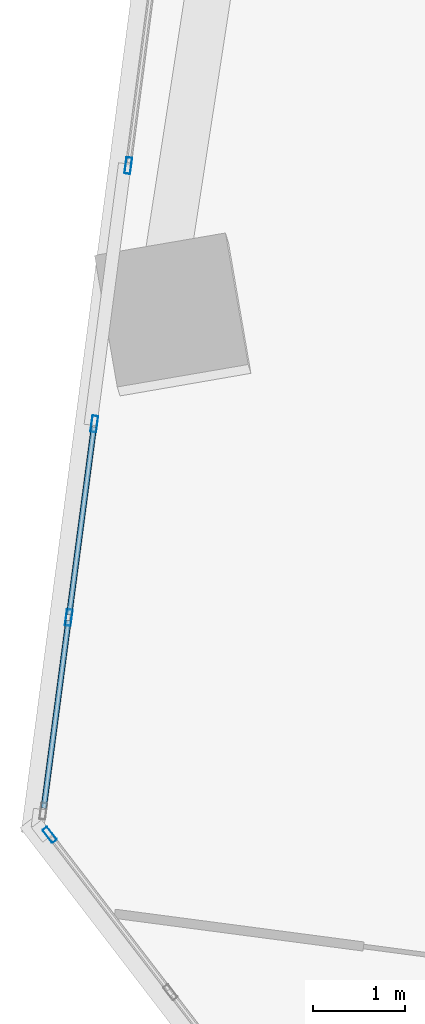
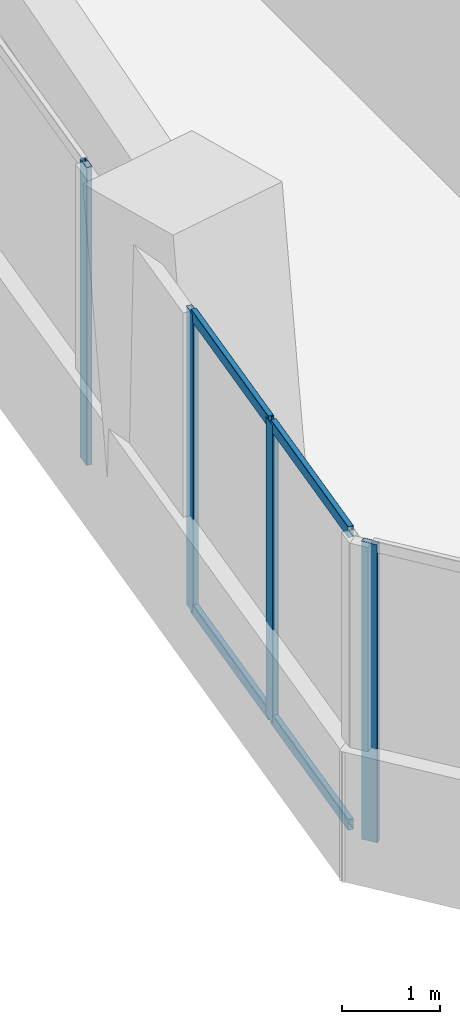
# One storey, part 4 of 24: 8 members, 3 elements without a shape of their own.
"""IFC4 building model written with IfcOpenShell, lengths in metres."""

from ifc_helpers import new_model, si_unit, direction, frame, origin, origin_2d, place, context, subcontext, project, spatial, hollow_rectangle, extrude, source, transform, mapped, material, material_profile, profile_set, type_object, element, aggregate, save


model = new_model("IFC4")

# Units and contexts
model_context = context("Model", 3, precision=1e-05, world=origin(), true_north=direction((0.0, 1.0)))
body_context = subcontext(model_context, "Body", "Model", "MODEL_VIEW")
ifc_project = project(units=[si_unit("LENGTHUNIT", "METRE"), si_unit("AREAUNIT", "SQUARE_METRE"), si_unit("VOLUMEUNIT", "CUBIC_METRE"), si_unit("PLANEANGLEUNIT", "RADIAN"), si_unit("MASSUNIT", "GRAM", prefix="KILO")], contexts=[model_context])

# Site, building, storey
site_placement = place(None, origin())
site = spatial("IfcSite", under=ifc_project, at=site_placement, CompositionType="ELEMENT")
building_placement = place(site_placement, origin())
building = spatial("IfcBuilding", under=site, at=building_placement, Name="Torre Montelarca", CompositionType="ELEMENT")
storey_placement = place(building_placement, frame((0.0, 0.0, 66.39990234375)))
storey = spatial("IfcBuildingStorey", under=building, at=storey_placement, Name="L14", CompositionType="ELEMENT", Elevation=66.39990234375)

# Curtain wall, members
ifc_material_1 = material(Name="Insulated low-E laminated glass", Category="glass")
curtain_wall_type = type_object("IfcCurtainWallType", Name="CW-SYS-Z1", PredefinedType="USERDEFINED", material=ifc_material_1)
curtain_wall_1_placement = place(storey_placement, origin())
curtain_wall_1 = element("IfcCurtainWall", 1, at=curtain_wall_1_placement, inside=storey, type_object=curtain_wall_type, Name="L14 Curtain Wall Run CW-T3-L14-E10-B3", ObjectType="UNITISED GLAZING", PredefinedType="USERDEFINED")
ifc_material_2 = material(Name="Anodised aluminium AA 6063-T6", Category="aluminium")
ifc_material_profile_1 = material_profile(ifc_material_2, hollow_rectangle(XDim=0.06494140625, YDim=0.139892578125, WallThickness=0.00390625, InnerFilletRadius=0.00390625, OuterFilletRadius=0.008056640625, at=origin_2d()), Name="ALU65X140X4", Category="aluminium")
ifc_profile_set_1 = profile_set([ifc_material_profile_1], Name="Anodised aluminium AA 6063-T6")
member_type_1 = type_object("IfcMemberType", Name="CWT-ALU140", PredefinedType="USERDEFINED", material=ifc_profile_set_1)
shared_shape_1 = source(origin(), body_context, "Body", "SweptSolid", [
    extrude(hollow_rectangle(XDim=0.06494140625, YDim=0.139892578125, WallThickness=0.00390625, InnerFilletRadius=0.00390625, OuterFilletRadius=0.008056640625, at=origin_2d()), origin(), (0.0, 0.0, 1.0), 2.06689453125),
])
member_1_placement = place(storey_placement, frame((2.870361328125, 25.1025390625, 0.03271484375), z_axis=(-0.130515619471, -0.991446253245, 0.0), x_axis=(0.991446253245, -0.130515619471, 0.0)))
member_1 = element("IfcMember", 2, at=member_1_placement, type_object=member_type_1, Name="CW transom 1.1", ObjectType="TRANSOM", PredefinedType="USERDEFINED", context=body_context, shape_type="MappedRepresentation", body=[
    mapped(shared_shape_1, transform((0.0, 0.0, 0.0), scale=1.0)),
])
member_2_placement = place(storey_placement, frame((2.870361328125, 25.1025390625, 3.6875), z_axis=(-0.130515619471, -0.991446253245, 0.0), x_axis=(0.991446253245, -0.130515619471, 0.0)))
member_2 = element("IfcMember", 3, at=member_2_placement, type_object=member_type_1, Name="CW transom 1.2", ObjectType="TRANSOM", PredefinedType="USERDEFINED", context=body_context, shape_type="MappedRepresentation", body=[
    mapped(shared_shape_1, transform((0.0, 0.0, 0.0), scale=1.0)),
])
member_3_placement = place(storey_placement, frame((2.592041015625, 22.98876953125, 0.03271484375), z_axis=(-0.130515619471, -0.991446253245, 0.0), x_axis=(0.991446253245, -0.130515619471, 0.0)))
member_3 = element("IfcMember", 4, at=member_3_placement, type_object=member_type_1, Name="CW transom 2.1", ObjectType="TRANSOM", PredefinedType="USERDEFINED", context=body_context, shape_type="MappedRepresentation", body=[
    mapped(shared_shape_1, transform((0.0, 0.0, 0.0), scale=1.0)),
])
member_4_placement = place(storey_placement, frame((2.592041015625, 22.98876953125, 3.6875), z_axis=(-0.130515619471, -0.991446253245, 0.0), x_axis=(0.991446253245, -0.130515619471, 0.0)))
member_4 = element("IfcMember", 5, at=member_4_placement, type_object=member_type_1, Name="CW transom 2.2", ObjectType="TRANSOM", PredefinedType="USERDEFINED", context=body_context, shape_type="MappedRepresentation", body=[
    mapped(shared_shape_1, transform((0.0, 0.0, 0.0), scale=1.0)),
])

# Curtain wall, member
curtain_wall_2_placement = place(storey_placement, origin())
curtain_wall_2 = element("IfcCurtainWall", 6, at=curtain_wall_2_placement, inside=storey, type_object=curtain_wall_type, Name="L14 Curtain Wall Run CW-T3-L14-E10-B2", ObjectType="UNITISED GLAZING", PredefinedType="USERDEFINED")
ifc_material_profile_2 = material_profile(ifc_material_2, hollow_rectangle(XDim=0.06494140625, YDim=0.179931640625, WallThickness=0.00390625, InnerFilletRadius=0.00390625, OuterFilletRadius=0.008056640625, at=origin_2d()), Name="ALU65X180X4", Category="aluminium")
ifc_profile_set_2 = profile_set([ifc_material_profile_2], Name="Anodised aluminium AA 6063-T6")
member_type_2 = type_object("IfcMemberType", Name="CWM-ALU180", PredefinedType="MULLION", material=ifc_profile_set_2)
shared_shape_2 = source(origin(), body_context, "Body", "SweptSolid", [
    extrude(hollow_rectangle(XDim=0.06494140625, YDim=0.179931640625, WallThickness=0.00390625, InnerFilletRadius=0.00390625, OuterFilletRadius=0.008056640625, at=origin_2d()), origin(), (0.0, 0.0, 1.0), 3.72021484375),
])
member_5_placement = place(storey_placement, frame((3.245849609375, 27.955078125, 0.0), z_axis=(0.0, 0.0, 1.0), x_axis=(0.991444908852, -0.130525831588, 0.0)))
member_5 = element("IfcMember", 7, at=member_5_placement, type_object=member_type_2, Name="CW mullion 3", PredefinedType="MULLION", context=body_context, shape_type="MappedRepresentation", body=[
    mapped(shared_shape_2, transform((0.0, 0.0, 0.0), scale=1.0)),
])
aggregate(curtain_wall_2, [member_5])

# Member
member_6_placement = place(storey_placement, frame((2.87451171875, 25.134765625, 0.0), z_axis=(0.0, 0.0, 1.0), x_axis=(0.991447218206, -0.130508289054, 0.0)))
member_6 = element("IfcMember", 8, at=member_6_placement, type_object=member_type_2, Name="CW mullion 1", PredefinedType="MULLION", context=body_context, shape_type="MappedRepresentation", body=[
    mapped(shared_shape_2, transform((0.0, 0.0, 0.0), scale=1.0)),
])

member_7_placement = place(storey_placement, frame((2.59619140625, 23.02099609375, 0.0), z_axis=(0.0, 0.0, 1.0), x_axis=(0.991447218206, -0.130508289054, 0.0)))
member_7 = element("IfcMember", 9, at=member_7_placement, type_object=member_type_2, Name="CW mullion 2", PredefinedType="MULLION", context=body_context, shape_type="MappedRepresentation", body=[
    mapped(shared_shape_2, transform((0.0, 0.0, 0.0), scale=1.0)),
])

aggregate(curtain_wall_1, [member_6, member_7, member_1, member_2, member_3, member_4])

# Curtain wall, member
curtain_wall_3_placement = place(storey_placement, origin())
curtain_wall_3 = element("IfcCurtainWall", 10, at=curtain_wall_3_placement, inside=storey, type_object=curtain_wall_type, Name="L14 Curtain Wall Run CW-T3-L14-E11-B1", ObjectType="UNITISED GLAZING", PredefinedType="USERDEFINED")
member_8_placement = place(storey_placement, frame((2.386962890625, 20.6494140625, 0.0), z_axis=(0.0, 0.0, 1.0), x_axis=(0.7933555587, 0.608758537912, 0.0)))
member_8 = element("IfcMember", 11, at=member_8_placement, type_object=member_type_2, Name="CW mullion 1", PredefinedType="MULLION", context=body_context, shape_type="MappedRepresentation", body=[
    mapped(shared_shape_2, transform((0.0, 0.0, 0.0), scale=1.0)),
])
aggregate(curtain_wall_3, [member_8])

save(model, "model.ifc")
